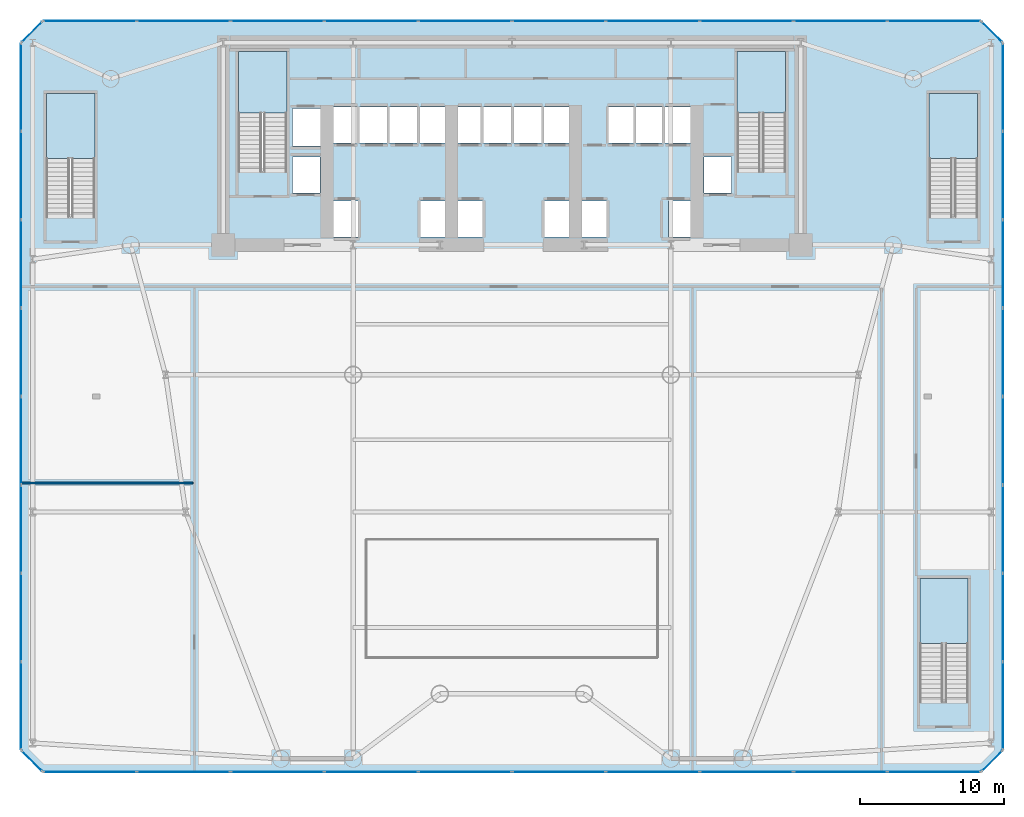
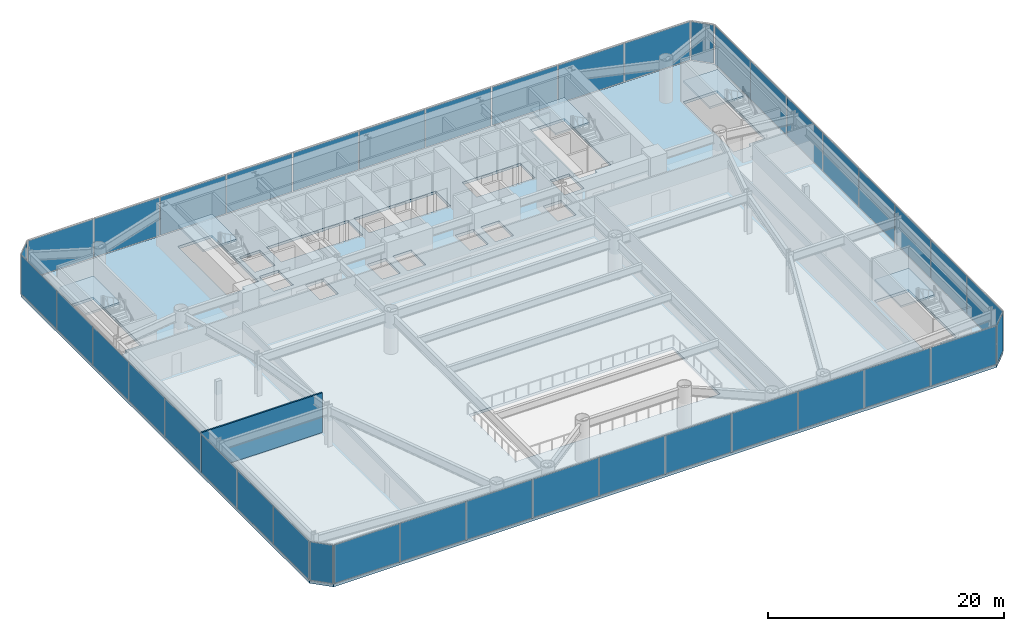
# One storey, part 12 of 24: 40 plates, 6 slabs, 1 wall, 13 elements without a shape of their own.
"""IFC4 building model written with IfcOpenShell, lengths in metres."""

from ifc_helpers import new_model, si_unit, direction, frame, frame_2d, origin, origin_2d, place, context, subcontext, project, spatial, polyline, rectangle, outline, extrude, source, transform, mapped, material, layer, layer_set, type_object, element, aggregate, save


model = new_model("IFC4")

# Units and contexts
model_context = context("Model", 3, precision=1e-05, world=origin(), true_north=direction((0.0, 1.0)))
body_context = subcontext(model_context, "Body", "Model", "MODEL_VIEW")
ifc_project = project(units=[si_unit("LENGTHUNIT", "METRE"), si_unit("AREAUNIT", "SQUARE_METRE"), si_unit("VOLUMEUNIT", "CUBIC_METRE"), si_unit("PLANEANGLEUNIT", "RADIAN"), si_unit("MASSUNIT", "GRAM", prefix="KILO")], contexts=[model_context])

# Site, building, storey
site_placement = place(None, origin())
site = spatial("IfcSite", under=ifc_project, at=site_placement, CompositionType="ELEMENT")
building_placement = place(site_placement, origin())
building = spatial("IfcBuilding", under=site, at=building_placement, Name="Vaeldorn Concourse Tower", CompositionType="ELEMENT")
storey_placement = place(building_placement, frame((0.0, 0.0, 5.60009765625)))
storey = spatial("IfcBuildingStorey", under=building, at=storey_placement, Name="L01", CompositionType="ELEMENT", Elevation=5.60009765625)

# Slab
ifc_material_1 = material(Name="Concrete C40/50", Category="concrete")
ifc_layer_1 = layer(ifc_material_1, 0.280029296875)
ifc_layer_set_1 = layer_set([ifc_layer_1], Name="Concrete C40/50")
slab_type_1 = type_object("IfcSlabType", Name="SL-POD-280", PredefinedType="FLOOR", material=ifc_layer_set_1)
slab_1_placement = place(storey_placement, frame((0.0, 0.0, -0.280029296875)))
element("IfcSlab", 1, at=slab_1_placement, inside=storey, type_object=slab_type_1, Name="Structural Floor Slab L01", PredefinedType="FLOOR", context=body_context, shape_type="SweptSolid", body=[
    extrude(outline(polyline([(1.5, 0.0), (66.5, 0.0), (68.0, 1.5), (68.0, 50.5), (66.5, 52.0), (1.5, 52.0), (0.0, 50.5), (0.0, 1.5), (1.5, 0.0)]), holes=[polyline([(18.39990234375, 42.0), (18.39990234375, 49.89990234375), (15.050048828125, 49.89990234375), (15.050048828125, 41.60009765625), (16.800048828125, 41.60009765625), (16.800048828125, 42.0), (18.39990234375, 42.0)]), polyline([(52.949951171875, 42.0), (52.949951171875, 49.89990234375), (49.60009765625, 49.89990234375), (49.60009765625, 41.60009765625), (51.35009765625, 41.60009765625), (51.35009765625, 42.0), (52.949951171875, 42.0)]), polyline([(5.10009765625, 38.85009765625), (5.10009765625, 47.0), (1.75, 47.0), (1.75, 38.449951171875), (3.5, 38.449951171875), (3.5, 38.85009765625), (5.10009765625, 38.85009765625)]), polyline([(66.25, 38.85009765625), (66.25, 47.0), (62.89990234375, 47.0), (62.89990234375, 38.449951171875), (64.64990234375, 38.449951171875), (64.64990234375, 38.85009765625), (66.25, 38.85009765625)]), polyline([(65.60009765625, 5.25), (65.60009765625, 13.39990234375), (62.25, 13.39990234375), (62.25, 4.85009765625), (64.0, 4.85009765625), (64.0, 5.25), (65.60009765625, 5.25)]), polyline([(21.550048828125, 37.050048828125), (23.35009765625, 37.050048828125), (23.35009765625, 39.550048828125), (21.550048828125, 39.550048828125), (21.550048828125, 37.050048828125)]), polyline([(27.64990234375, 37.050048828125), (29.449951171875, 37.050048828125), (29.449951171875, 39.550048828125), (27.64990234375, 39.550048828125), (27.64990234375, 37.050048828125)]), polyline([(21.5, 43.550048828125), (29.5, 43.550048828125), (29.5, 46.050048828125), (21.5, 46.050048828125), (21.5, 43.550048828125)]), polyline([(30.14990234375, 37.050048828125), (31.949951171875, 37.050048828125), (31.949951171875, 39.550048828125), (30.14990234375, 39.550048828125), (30.14990234375, 37.050048828125)]), polyline([(36.25, 37.050048828125), (38.050048828125, 37.050048828125), (38.050048828125, 39.550048828125), (36.25, 39.550048828125), (36.25, 37.050048828125)]), polyline([(30.10009765625, 43.550048828125), (38.10009765625, 43.550048828125), (38.10009765625, 46.050048828125), (30.10009765625, 46.050048828125), (30.10009765625, 43.550048828125)]), polyline([(38.75, 37.050048828125), (40.550048828125, 37.050048828125), (40.550048828125, 39.550048828125), (38.75, 39.550048828125), (38.75, 37.050048828125)]), polyline([(44.85009765625, 37.050048828125), (46.64990234375, 37.050048828125), (46.64990234375, 39.550048828125), (44.85009765625, 39.550048828125), (44.85009765625, 37.050048828125)]), polyline([(40.699951171875, 43.550048828125), (46.39990234375, 43.550048828125), (46.39990234375, 46.050048828125), (40.699951171875, 46.050048828125), (40.699951171875, 43.550048828125)]), polyline([(18.800048828125, 43.35009765625), (20.800048828125, 43.35009765625), (20.800048828125, 45.949951171875), (18.800048828125, 45.949951171875), (18.800048828125, 43.35009765625)]), polyline([(18.800048828125, 40.10009765625), (20.699951171875, 40.10009765625), (20.699951171875, 42.60009765625), (18.800048828125, 42.60009765625), (18.800048828125, 40.10009765625)]), polyline([(47.300048828125, 40.10009765625), (49.199951171875, 40.10009765625), (49.199951171875, 42.60009765625), (47.300048828125, 42.60009765625), (47.300048828125, 40.10009765625)]), polyline([(24.0, 8.0), (44.0, 8.0), (44.0, 16.0), (24.0, 16.0), (24.0, 8.0)])]), origin(), (0.0, 0.0, 1.0), 0.280029296875),
])

# Stair, slab
ifc_material_2 = material(Name="Precast concrete C40/50", Category="concrete")
stair_type = type_object("IfcStairType", Name="STR-DOG-28x157", PredefinedType="HALF_TURN_STAIR", material=ifc_material_2)
stair_1_placement = place(storey_placement, origin())
stair_1 = element("IfcStair", 2, at=stair_1_placement, inside=storey, type_object=stair_type, Name="L01 West Core Exit Stair ST-1", PredefinedType="HALF_TURN_STAIR")
ifc_layer_2 = layer(ifc_material_1, 0.199951171875)
ifc_layer_set_2 = layer_set([ifc_layer_2], Name="Concrete C40/50")
slab_type_2 = type_object("IfcSlabType", Name="SL-STAIR-LANDING", PredefinedType="LANDING", material=ifc_layer_set_2)
slab_2_placement = place(storey_placement, frame((0.0, 0.0, 2.0)))
slab_2 = element("IfcSlab", 3, at=slab_2_placement, type_object=slab_type_2, Name="ST-1 landing 1", PredefinedType="LANDING", context=body_context, shape_type="SweptSolid", body=[
    extrude(outline(polyline([(18.39990234375, 45.6298828125), (18.39990234375, 49.89990234375), (15.050048828125, 49.89990234375), (15.050048828125, 45.6298828125), (18.39990234375, 45.6298828125)])), origin(), (0.0, 0.0, 1.0), 0.199951171875),
])
aggregate(stair_1, [slab_2])

stair_2_placement = place(storey_placement, origin())
stair_2 = element("IfcStair", 4, at=stair_2_placement, inside=storey, type_object=stair_type, Name="L01 East Core Exit Stair ST-2", PredefinedType="HALF_TURN_STAIR")
slab_3_placement = place(storey_placement, frame((0.0, 0.0, 2.0)))
slab_3 = element("IfcSlab", 5, at=slab_3_placement, type_object=slab_type_2, Name="ST-2 landing 1", PredefinedType="LANDING", context=body_context, shape_type="SweptSolid", body=[
    extrude(outline(polyline([(52.949951171875, 45.6298828125), (52.949951171875, 49.89990234375), (49.60009765625, 49.89990234375), (49.60009765625, 45.6298828125), (52.949951171875, 45.6298828125)])), origin(), (0.0, 0.0, 1.0), 0.199951171875),
])
aggregate(stair_2, [slab_3])

stair_3_placement = place(storey_placement, origin())
stair_3 = element("IfcStair", 6, at=stair_3_placement, inside=storey, type_object=stair_type, Name="L01 Station West Exit Stair ST-3", PredefinedType="HALF_TURN_STAIR")
slab_4_placement = place(storey_placement, frame((0.0, 0.0, 2.0)))
slab_4 = element("IfcSlab", 7, at=slab_4_placement, type_object=slab_type_2, Name="ST-3 landing 1", PredefinedType="LANDING", context=body_context, shape_type="SweptSolid", body=[
    extrude(outline(polyline([(5.10009765625, 42.47998046875), (5.10009765625, 47.0), (1.75, 47.0), (1.75, 42.47998046875), (5.10009765625, 42.47998046875)])), origin(), (0.0, 0.0, 1.0), 0.199951171875),
])
aggregate(stair_3, [slab_4])

stair_4_placement = place(storey_placement, origin())
stair_4 = element("IfcStair", 8, at=stair_4_placement, inside=storey, type_object=stair_type, Name="L01 Station East Exit Stair ST-4", PredefinedType="HALF_TURN_STAIR")
slab_5_placement = place(storey_placement, frame((0.0, 0.0, 2.0)))
slab_5 = element("IfcSlab", 9, at=slab_5_placement, type_object=slab_type_2, Name="ST-4 landing 1", PredefinedType="LANDING", context=body_context, shape_type="SweptSolid", body=[
    extrude(outline(polyline([(66.25, 42.47998046875), (66.25, 47.0), (62.89990234375, 47.0), (62.89990234375, 42.47998046875), (66.25, 42.47998046875)])), origin(), (0.0, 0.0, 1.0), 0.199951171875),
])
aggregate(stair_4, [slab_5])

stair_5_placement = place(storey_placement, origin())
stair_5 = element("IfcStair", 10, at=stair_5_placement, inside=storey, type_object=stair_type, Name="L01 Podium Auditorium Exit Stair ST-5", PredefinedType="HALF_TURN_STAIR")
slab_6_placement = place(storey_placement, frame((0.0, 0.0, 2.0)))
slab_6 = element("IfcSlab", 11, at=slab_6_placement, type_object=slab_type_2, Name="ST-5 landing 1", PredefinedType="LANDING", context=body_context, shape_type="SweptSolid", body=[
    extrude(outline(polyline([(65.60009765625, 8.8798828125), (65.60009765625, 13.39990234375), (62.25, 13.39990234375), (62.25, 8.8798828125), (65.60009765625, 8.8798828125)])), origin(), (0.0, 0.0, 1.0), 0.199951171875),
])
aggregate(stair_5, [slab_6])

# Curtain wall, plates
ifc_material_3 = material(Name="Anodised Bronze Aluminium", Category="aluminium")
ifc_layer_3 = layer(ifc_material_3, 0.239990234375)
ifc_layer_set_3 = layer_set([ifc_layer_3], Name="Anodised Bronze Aluminium")
curtain_wall_type = type_object("IfcCurtainWallType", Name="CW-SYS-04", PredefinedType="NOTDEFINED", material=ifc_layer_set_3)
curtain_wall_1_placement = place(storey_placement, origin())
curtain_wall_1 = element("IfcCurtainWall", 12, at=curtain_wall_1_placement, inside=storey, type_object=curtain_wall_type, Name="Unitised Curtain Wall CW-L01-E01-1", PredefinedType="NOTDEFINED")
ifc_material_4 = material(Name="Bronze Tinted Low-E Insulated Glass", Category="glass")
ifc_layer_4 = layer(ifc_material_4, 0.031982421875)
ifc_layer_set_4 = layer_set([ifc_layer_4], Name="Bronze Tinted Low-E Insulated Glass")
plate_type = type_object("IfcPlateType", Name="CWP-VISION-32", PredefinedType="CURTAIN_PANEL", material=ifc_layer_set_4)
shared_shape_1 = source(origin(), body_context, "Body", "SweptSolid", [
    extrude(rectangle(XDim=6.387451171875, YDim=0.031982421875, at=origin_2d()), origin(), (0.0, 0.0, 1.0), 3.969970703125),
])
plate_1_placement = place(storey_placement, frame((4.768798828125, 0.0, 0.07470703125), z_axis=(0.0, 0.0, 1.0), x_axis=(1.0, 0.0, 0.0)))
plate_1 = element("IfcPlate", 13, at=plate_1_placement, type_object=plate_type, Name="CW-04 panel 1.1", PredefinedType="CURTAIN_PANEL", context=body_context, shape_type="MappedRepresentation", body=[
    mapped(shared_shape_1, transform((0.0, 0.0, 0.0), scale=1.0)),
])
plate_2_placement = place(storey_placement, frame((63.231201171875, 0.0, 0.07470703125), z_axis=(0.0, 0.0, 1.0), x_axis=(1.0, 0.0, 0.0)))
plate_2 = element("IfcPlate", 14, at=plate_2_placement, type_object=plate_type, Name="CW-04 panel 10.1", PredefinedType="CURTAIN_PANEL", context=body_context, shape_type="MappedRepresentation", body=[
    mapped(shared_shape_1, transform((0.0, 0.0, 0.0), scale=1.0)),
])

curtain_wall_2_placement = place(storey_placement, origin())
curtain_wall_2 = element("IfcCurtainWall", 15, at=curtain_wall_2_placement, inside=storey, type_object=curtain_wall_type, Name="Unitised Curtain Wall CW-L01-E05-1", PredefinedType="NOTDEFINED")
plate_3_placement = place(storey_placement, frame((63.231201171875, 52.0, 0.07470703125), z_axis=(0.0, 0.0, 1.0), x_axis=(-1.0, 0.0, 0.0)))
plate_3 = element("IfcPlate", 16, at=plate_3_placement, type_object=plate_type, Name="CW-04 panel 1.1", PredefinedType="CURTAIN_PANEL", context=body_context, shape_type="MappedRepresentation", body=[
    mapped(shared_shape_1, transform((0.0, 0.0, 0.0), scale=1.0)),
])
plate_4_placement = place(storey_placement, frame((4.768798828125, 52.0, 0.07470703125), z_axis=(0.0, 0.0, 1.0), x_axis=(-1.0, 0.0, 0.0)))
plate_4 = element("IfcPlate", 17, at=plate_4_placement, type_object=plate_type, Name="CW-04 panel 10.1", PredefinedType="CURTAIN_PANEL", context=body_context, shape_type="MappedRepresentation", body=[
    mapped(shared_shape_1, transform((0.0, 0.0, 0.0), scale=1.0)),
])

# Plate
shared_shape_2 = source(origin(), body_context, "Body", "SweptSolid", [
    extrude(rectangle(XDim=6.425048828125, YDim=0.031982421875, at=origin_2d()), origin(), (0.0, 0.0, 1.0), 3.969970703125),
])
plate_5_placement = place(storey_placement, frame((11.25, 0.0, 0.07470703125), z_axis=(0.0, 0.0, 1.0), x_axis=(1.0, 0.0, 0.0)))
plate_5 = element("IfcPlate", 18, at=plate_5_placement, type_object=plate_type, Name="CW-04 panel 2.1", PredefinedType="CURTAIN_PANEL", context=body_context, shape_type="MappedRepresentation", body=[
    mapped(shared_shape_2, transform((0.0, 0.0, 0.0), scale=1.0)),
])

plate_6_placement = place(storey_placement, frame((17.75, 0.0, 0.07470703125), z_axis=(0.0, 0.0, 1.0), x_axis=(1.0, 0.0, 0.0)))
plate_6 = element("IfcPlate", 19, at=plate_6_placement, type_object=plate_type, Name="CW-04 panel 3.1", PredefinedType="CURTAIN_PANEL", context=body_context, shape_type="MappedRepresentation", body=[
    mapped(shared_shape_2, transform((0.0, 0.0, 0.0), scale=1.0)),
])

plate_7_placement = place(storey_placement, frame((24.25, 0.0, 0.07470703125), z_axis=(0.0, 0.0, 1.0), x_axis=(1.0, 0.0, 0.0)))
plate_7 = element("IfcPlate", 20, at=plate_7_placement, type_object=plate_type, Name="CW-04 panel 4.1", PredefinedType="CURTAIN_PANEL", context=body_context, shape_type="MappedRepresentation", body=[
    mapped(shared_shape_2, transform((0.0, 0.0, 0.0), scale=1.0)),
])

plate_8_placement = place(storey_placement, frame((30.75, 0.0, 0.07470703125), z_axis=(0.0, 0.0, 1.0), x_axis=(1.0, 0.0, 0.0)))
plate_8 = element("IfcPlate", 21, at=plate_8_placement, type_object=plate_type, Name="CW-04 panel 5.1", PredefinedType="CURTAIN_PANEL", context=body_context, shape_type="MappedRepresentation", body=[
    mapped(shared_shape_2, transform((0.0, 0.0, 0.0), scale=1.0)),
])

plate_9_placement = place(storey_placement, frame((37.25, 0.0, 0.07470703125), z_axis=(0.0, 0.0, 1.0), x_axis=(1.0, 0.0, 0.0)))
plate_9 = element("IfcPlate", 22, at=plate_9_placement, type_object=plate_type, Name="CW-04 panel 6.1", PredefinedType="CURTAIN_PANEL", context=body_context, shape_type="MappedRepresentation", body=[
    mapped(shared_shape_2, transform((0.0, 0.0, 0.0), scale=1.0)),
])

plate_10_placement = place(storey_placement, frame((43.75, 0.0, 0.07470703125), z_axis=(0.0, 0.0, 1.0), x_axis=(1.0, 0.0, 0.0)))
plate_10 = element("IfcPlate", 23, at=plate_10_placement, type_object=plate_type, Name="CW-04 panel 7.1", PredefinedType="CURTAIN_PANEL", context=body_context, shape_type="MappedRepresentation", body=[
    mapped(shared_shape_2, transform((0.0, 0.0, 0.0), scale=1.0)),
])

plate_11_placement = place(storey_placement, frame((50.25, 0.0, 0.07470703125), z_axis=(0.0, 0.0, 1.0), x_axis=(1.0, 0.0, 0.0)))
plate_11 = element("IfcPlate", 24, at=plate_11_placement, type_object=plate_type, Name="CW-04 panel 8.1", PredefinedType="CURTAIN_PANEL", context=body_context, shape_type="MappedRepresentation", body=[
    mapped(shared_shape_2, transform((0.0, 0.0, 0.0), scale=1.0)),
])

plate_12_placement = place(storey_placement, frame((56.75, 0.0, 0.07470703125), z_axis=(0.0, 0.0, 1.0), x_axis=(1.0, 0.0, 0.0)))
plate_12 = element("IfcPlate", 25, at=plate_12_placement, type_object=plate_type, Name="CW-04 panel 9.1", PredefinedType="CURTAIN_PANEL", context=body_context, shape_type="MappedRepresentation", body=[
    mapped(shared_shape_2, transform((0.0, 0.0, 0.0), scale=1.0)),
])

aggregate(curtain_wall_1, [plate_1, plate_5, plate_6, plate_7, plate_8, plate_9, plate_10, plate_11, plate_12, plate_2])

plate_13_placement = place(storey_placement, frame((56.75, 52.0, 0.07470703125), z_axis=(0.0, 0.0, 1.0), x_axis=(-1.0, 0.0, 0.0)))
plate_13 = element("IfcPlate", 26, at=plate_13_placement, type_object=plate_type, Name="CW-04 panel 2.1", PredefinedType="CURTAIN_PANEL", context=body_context, shape_type="MappedRepresentation", body=[
    mapped(shared_shape_2, transform((0.0, 0.0, 0.0), scale=1.0)),
])

plate_14_placement = place(storey_placement, frame((50.25, 52.0, 0.07470703125), z_axis=(0.0, 0.0, 1.0), x_axis=(-1.0, 0.0, 0.0)))
plate_14 = element("IfcPlate", 27, at=plate_14_placement, type_object=plate_type, Name="CW-04 panel 3.1", PredefinedType="CURTAIN_PANEL", context=body_context, shape_type="MappedRepresentation", body=[
    mapped(shared_shape_2, transform((0.0, 0.0, 0.0), scale=1.0)),
])

plate_15_placement = place(storey_placement, frame((43.75, 52.0, 0.07470703125), z_axis=(0.0, 0.0, 1.0), x_axis=(-1.0, 0.0, 0.0)))
plate_15 = element("IfcPlate", 28, at=plate_15_placement, type_object=plate_type, Name="CW-04 panel 4.1", PredefinedType="CURTAIN_PANEL", context=body_context, shape_type="MappedRepresentation", body=[
    mapped(shared_shape_2, transform((0.0, 0.0, 0.0), scale=1.0)),
])

plate_16_placement = place(storey_placement, frame((37.25, 52.0, 0.07470703125), z_axis=(0.0, 0.0, 1.0), x_axis=(-1.0, 0.0, 0.0)))
plate_16 = element("IfcPlate", 29, at=plate_16_placement, type_object=plate_type, Name="CW-04 panel 5.1", PredefinedType="CURTAIN_PANEL", context=body_context, shape_type="MappedRepresentation", body=[
    mapped(shared_shape_2, transform((0.0, 0.0, 0.0), scale=1.0)),
])

plate_17_placement = place(storey_placement, frame((30.75, 52.0, 0.07470703125), z_axis=(0.0, 0.0, 1.0), x_axis=(-1.0, 0.0, 0.0)))
plate_17 = element("IfcPlate", 30, at=plate_17_placement, type_object=plate_type, Name="CW-04 panel 6.1", PredefinedType="CURTAIN_PANEL", context=body_context, shape_type="MappedRepresentation", body=[
    mapped(shared_shape_2, transform((0.0, 0.0, 0.0), scale=1.0)),
])

plate_18_placement = place(storey_placement, frame((24.25, 52.0, 0.07470703125), z_axis=(0.0, 0.0, 1.0), x_axis=(-1.0, 0.0, 0.0)))
plate_18 = element("IfcPlate", 31, at=plate_18_placement, type_object=plate_type, Name="CW-04 panel 7.1", PredefinedType="CURTAIN_PANEL", context=body_context, shape_type="MappedRepresentation", body=[
    mapped(shared_shape_2, transform((0.0, 0.0, 0.0), scale=1.0)),
])

plate_19_placement = place(storey_placement, frame((17.75, 52.0, 0.07470703125), z_axis=(0.0, 0.0, 1.0), x_axis=(-1.0, 0.0, 0.0)))
plate_19 = element("IfcPlate", 32, at=plate_19_placement, type_object=plate_type, Name="CW-04 panel 8.1", PredefinedType="CURTAIN_PANEL", context=body_context, shape_type="MappedRepresentation", body=[
    mapped(shared_shape_2, transform((0.0, 0.0, 0.0), scale=1.0)),
])

plate_20_placement = place(storey_placement, frame((11.25, 52.0, 0.07470703125), z_axis=(0.0, 0.0, 1.0), x_axis=(-1.0, 0.0, 0.0)))
plate_20 = element("IfcPlate", 33, at=plate_20_placement, type_object=plate_type, Name="CW-04 panel 9.1", PredefinedType="CURTAIN_PANEL", context=body_context, shape_type="MappedRepresentation", body=[
    mapped(shared_shape_2, transform((0.0, 0.0, 0.0), scale=1.0)),
])

aggregate(curtain_wall_2, [plate_3, plate_13, plate_14, plate_15, plate_16, plate_17, plate_18, plate_19, plate_20, plate_4])

# Curtain wall, plate
curtain_wall_3_placement = place(storey_placement, origin())
curtain_wall_3 = element("IfcCurtainWall", 34, at=curtain_wall_3_placement, inside=storey, type_object=curtain_wall_type, Name="Unitised Curtain Wall CW-L01-E02-1", PredefinedType="NOTDEFINED")
shared_shape_3 = source(origin(), body_context, "Body", "SweptSolid", [
    extrude(rectangle(XDim=1.971435546875, YDim=0.031982421875, at=origin_2d()), origin(), (0.0, 0.0, 1.0), 3.969970703125),
])
plate_21_placement = place(storey_placement, frame((67.25, 0.75, 0.07470703125), z_axis=(0.0, 0.0, 1.0), x_axis=(0.707106781187, 0.707106781187, 0.0)))
plate_21 = element("IfcPlate", 35, at=plate_21_placement, type_object=plate_type, Name="CW-04 panel 1.1", PredefinedType="CURTAIN_PANEL", context=body_context, shape_type="MappedRepresentation", body=[
    mapped(shared_shape_3, transform((0.0, 0.0, 0.0), scale=1.0)),
])
aggregate(curtain_wall_3, [plate_21])

curtain_wall_4_placement = place(storey_placement, origin())
curtain_wall_4 = element("IfcCurtainWall", 36, at=curtain_wall_4_placement, inside=storey, type_object=curtain_wall_type, Name="Unitised Curtain Wall CW-L01-E04-1", PredefinedType="NOTDEFINED")
plate_22_placement = place(storey_placement, frame((67.25, 51.25, 0.07470703125), z_axis=(0.0, 0.0, 1.0), x_axis=(-0.707106781187, 0.707106781187, 0.0)))
plate_22 = element("IfcPlate", 37, at=plate_22_placement, type_object=plate_type, Name="CW-04 panel 1.1", PredefinedType="CURTAIN_PANEL", context=body_context, shape_type="MappedRepresentation", body=[
    mapped(shared_shape_3, transform((0.0, 0.0, 0.0), scale=1.0)),
])
aggregate(curtain_wall_4, [plate_22])

curtain_wall_5_placement = place(storey_placement, origin())
curtain_wall_5 = element("IfcCurtainWall", 38, at=curtain_wall_5_placement, inside=storey, type_object=curtain_wall_type, Name="Unitised Curtain Wall CW-L01-E06-1", PredefinedType="NOTDEFINED")
plate_23_placement = place(storey_placement, frame((0.75, 51.25, 0.07470703125), z_axis=(0.0, 0.0, 1.0), x_axis=(-0.707106781187, -0.707106781187, 0.0)))
plate_23 = element("IfcPlate", 39, at=plate_23_placement, type_object=plate_type, Name="CW-04 panel 1.1", PredefinedType="CURTAIN_PANEL", context=body_context, shape_type="MappedRepresentation", body=[
    mapped(shared_shape_3, transform((0.0, 0.0, 0.0), scale=1.0)),
])
aggregate(curtain_wall_5, [plate_23])

curtain_wall_6_placement = place(storey_placement, origin())
curtain_wall_6 = element("IfcCurtainWall", 40, at=curtain_wall_6_placement, inside=storey, type_object=curtain_wall_type, Name="Unitised Curtain Wall CW-L01-E08-1", PredefinedType="NOTDEFINED")
plate_24_placement = place(storey_placement, frame((0.75, 0.75, 0.07470703125), z_axis=(0.0, 0.0, 1.0), x_axis=(0.707106781187, -0.707106781187, 0.0)))
plate_24 = element("IfcPlate", 41, at=plate_24_placement, type_object=plate_type, Name="CW-04 panel 1.1", PredefinedType="CURTAIN_PANEL", context=body_context, shape_type="MappedRepresentation", body=[
    mapped(shared_shape_3, transform((0.0, 0.0, 0.0), scale=1.0)),
])
aggregate(curtain_wall_6, [plate_24])

# Curtain wall, plates
curtain_wall_7_placement = place(storey_placement, origin())
curtain_wall_7 = element("IfcCurtainWall", 42, at=curtain_wall_7_placement, inside=storey, type_object=curtain_wall_type, Name="Unitised Curtain Wall CW-L01-E03-1", PredefinedType="NOTDEFINED")
shared_shape_4 = source(origin(), body_context, "Body", "SweptSolid", [
    extrude(rectangle(XDim=6.012451171875, YDim=0.031982421875, at=origin_2d()), origin(), (0.0, 0.0, 1.0), 3.969970703125),
])
plate_25_placement = place(storey_placement, frame((68.0, 4.581298828125, 0.07470703125), z_axis=(0.0, 0.0, 1.0), x_axis=(0.0, 1.0, 0.0)))
plate_25 = element("IfcPlate", 43, at=plate_25_placement, type_object=plate_type, Name="CW-04 panel 1.1", PredefinedType="CURTAIN_PANEL", context=body_context, shape_type="MappedRepresentation", body=[
    mapped(shared_shape_4, transform((0.0, 0.0, 0.0), scale=1.0)),
])
plate_26_placement = place(storey_placement, frame((68.0, 47.418701171875, 0.07470703125), z_axis=(0.0, 0.0, 1.0), x_axis=(0.0, 1.0, 0.0)))
plate_26 = element("IfcPlate", 44, at=plate_26_placement, type_object=plate_type, Name="CW-04 panel 8.1", PredefinedType="CURTAIN_PANEL", context=body_context, shape_type="MappedRepresentation", body=[
    mapped(shared_shape_4, transform((0.0, 0.0, 0.0), scale=1.0)),
])

curtain_wall_8_placement = place(storey_placement, origin())
curtain_wall_8 = element("IfcCurtainWall", 45, at=curtain_wall_8_placement, inside=storey, type_object=curtain_wall_type, Name="Unitised Curtain Wall CW-L01-E07-1", PredefinedType="NOTDEFINED")
plate_27_placement = place(storey_placement, frame((0.0, 47.418701171875, 0.07470703125), z_axis=(0.0, 0.0, 1.0), x_axis=(0.0, -1.0, 0.0)))
plate_27 = element("IfcPlate", 46, at=plate_27_placement, type_object=plate_type, Name="CW-04 panel 1.1", PredefinedType="CURTAIN_PANEL", context=body_context, shape_type="MappedRepresentation", body=[
    mapped(shared_shape_4, transform((0.0, 0.0, 0.0), scale=1.0)),
])
plate_28_placement = place(storey_placement, frame((0.0, 4.581298828125, 0.07470703125), z_axis=(0.0, 0.0, 1.0), x_axis=(0.0, -1.0, 0.0)))
plate_28 = element("IfcPlate", 47, at=plate_28_placement, type_object=plate_type, Name="CW-04 panel 8.1", PredefinedType="CURTAIN_PANEL", context=body_context, shape_type="MappedRepresentation", body=[
    mapped(shared_shape_4, transform((0.0, 0.0, 0.0), scale=1.0)),
])

# Plate
shared_shape_5 = source(origin(), body_context, "Body", "SweptSolid", [
    extrude(rectangle(XDim=6.050048828125, YDim=0.031982421875, at=origin_2d()), origin(), (0.0, 0.0, 1.0), 3.969970703125),
])
plate_29_placement = place(storey_placement, frame((68.0, 10.6875, 0.07470703125), z_axis=(0.0, 0.0, 1.0), x_axis=(0.0, 1.0, 0.0)))
plate_29 = element("IfcPlate", 48, at=plate_29_placement, type_object=plate_type, Name="CW-04 panel 2.1", PredefinedType="CURTAIN_PANEL", context=body_context, shape_type="MappedRepresentation", body=[
    mapped(shared_shape_5, transform((0.0, 0.0, 0.0), scale=1.0)),
])

plate_30_placement = place(storey_placement, frame((68.0, 16.8125, 0.07470703125), z_axis=(0.0, 0.0, 1.0), x_axis=(0.0, 1.0, 0.0)))
plate_30 = element("IfcPlate", 49, at=plate_30_placement, type_object=plate_type, Name="CW-04 panel 3.1", PredefinedType="CURTAIN_PANEL", context=body_context, shape_type="MappedRepresentation", body=[
    mapped(shared_shape_5, transform((0.0, 0.0, 0.0), scale=1.0)),
])

plate_31_placement = place(storey_placement, frame((68.0, 22.9375, 0.07470703125), z_axis=(0.0, 0.0, 1.0), x_axis=(0.0, 1.0, 0.0)))
plate_31 = element("IfcPlate", 50, at=plate_31_placement, type_object=plate_type, Name="CW-04 panel 4.1", PredefinedType="CURTAIN_PANEL", context=body_context, shape_type="MappedRepresentation", body=[
    mapped(shared_shape_5, transform((0.0, 0.0, 0.0), scale=1.0)),
])

plate_32_placement = place(storey_placement, frame((68.0, 29.0625, 0.07470703125), z_axis=(0.0, 0.0, 1.0), x_axis=(0.0, 1.0, 0.0)))
plate_32 = element("IfcPlate", 51, at=plate_32_placement, type_object=plate_type, Name="CW-04 panel 5.1", PredefinedType="CURTAIN_PANEL", context=body_context, shape_type="MappedRepresentation", body=[
    mapped(shared_shape_5, transform((0.0, 0.0, 0.0), scale=1.0)),
])

plate_33_placement = place(storey_placement, frame((68.0, 35.1875, 0.07470703125), z_axis=(0.0, 0.0, 1.0), x_axis=(0.0, 1.0, 0.0)))
plate_33 = element("IfcPlate", 52, at=plate_33_placement, type_object=plate_type, Name="CW-04 panel 6.1", PredefinedType="CURTAIN_PANEL", context=body_context, shape_type="MappedRepresentation", body=[
    mapped(shared_shape_5, transform((0.0, 0.0, 0.0), scale=1.0)),
])

plate_34_placement = place(storey_placement, frame((68.0, 41.3125, 0.07470703125), z_axis=(0.0, 0.0, 1.0), x_axis=(0.0, 1.0, 0.0)))
plate_34 = element("IfcPlate", 53, at=plate_34_placement, type_object=plate_type, Name="CW-04 panel 7.1", PredefinedType="CURTAIN_PANEL", context=body_context, shape_type="MappedRepresentation", body=[
    mapped(shared_shape_5, transform((0.0, 0.0, 0.0), scale=1.0)),
])

aggregate(curtain_wall_7, [plate_25, plate_29, plate_30, plate_31, plate_32, plate_33, plate_34, plate_26])

plate_35_placement = place(storey_placement, frame((0.0, 41.3125, 0.07470703125), z_axis=(0.0, 0.0, 1.0), x_axis=(0.0, -1.0, 0.0)))
plate_35 = element("IfcPlate", 54, at=plate_35_placement, type_object=plate_type, Name="CW-04 panel 2.1", PredefinedType="CURTAIN_PANEL", context=body_context, shape_type="MappedRepresentation", body=[
    mapped(shared_shape_5, transform((0.0, 0.0, 0.0), scale=1.0)),
])

plate_36_placement = place(storey_placement, frame((0.0, 35.1875, 0.07470703125), z_axis=(0.0, 0.0, 1.0), x_axis=(0.0, -1.0, 0.0)))
plate_36 = element("IfcPlate", 55, at=plate_36_placement, type_object=plate_type, Name="CW-04 panel 3.1", PredefinedType="CURTAIN_PANEL", context=body_context, shape_type="MappedRepresentation", body=[
    mapped(shared_shape_5, transform((0.0, 0.0, 0.0), scale=1.0)),
])

plate_37_placement = place(storey_placement, frame((0.0, 29.0625, 0.07470703125), z_axis=(0.0, 0.0, 1.0), x_axis=(0.0, -1.0, 0.0)))
plate_37 = element("IfcPlate", 56, at=plate_37_placement, type_object=plate_type, Name="CW-04 panel 4.1", PredefinedType="CURTAIN_PANEL", context=body_context, shape_type="MappedRepresentation", body=[
    mapped(shared_shape_5, transform((0.0, 0.0, 0.0), scale=1.0)),
])

plate_38_placement = place(storey_placement, frame((0.0, 22.9375, 0.07470703125), z_axis=(0.0, 0.0, 1.0), x_axis=(0.0, -1.0, 0.0)))
plate_38 = element("IfcPlate", 57, at=plate_38_placement, type_object=plate_type, Name="CW-04 panel 5.1", PredefinedType="CURTAIN_PANEL", context=body_context, shape_type="MappedRepresentation", body=[
    mapped(shared_shape_5, transform((0.0, 0.0, 0.0), scale=1.0)),
])

plate_39_placement = place(storey_placement, frame((0.0, 16.8125, 0.07470703125), z_axis=(0.0, 0.0, 1.0), x_axis=(0.0, -1.0, 0.0)))
plate_39 = element("IfcPlate", 58, at=plate_39_placement, type_object=plate_type, Name="CW-04 panel 6.1", PredefinedType="CURTAIN_PANEL", context=body_context, shape_type="MappedRepresentation", body=[
    mapped(shared_shape_5, transform((0.0, 0.0, 0.0), scale=1.0)),
])

plate_40_placement = place(storey_placement, frame((0.0, 10.6875, 0.07470703125), z_axis=(0.0, 0.0, 1.0), x_axis=(0.0, -1.0, 0.0)))
plate_40 = element("IfcPlate", 59, at=plate_40_placement, type_object=plate_type, Name="CW-04 panel 7.1", PredefinedType="CURTAIN_PANEL", context=body_context, shape_type="MappedRepresentation", body=[
    mapped(shared_shape_5, transform((0.0, 0.0, 0.0), scale=1.0)),
])

aggregate(curtain_wall_8, [plate_27, plate_35, plate_36, plate_37, plate_38, plate_39, plate_40, plate_28])

# Wall
ifc_material_5 = material(Name="Gypsum Board Partition", Category="gypsum")
ifc_layer_5 = layer(ifc_material_5, 0.14990234375)
ifc_layer_set_5 = layer_set([ifc_layer_5], Name="Gypsum Board Partition")
wall_type = type_object("IfcWallType", Name="WL-PART-150", PredefinedType="PARTITIONING", material=ifc_layer_set_5)
wall_placement = place(storey_placement, frame((0.0400390625, 20.0, 0.0), z_axis=(0.0, 0.0, 1.0), x_axis=(1.0, 0.0, 0.0)))
element("IfcWall", 60, at=wall_placement, inside=storey, type_object=wall_type, Name="Interior Wall PW-L01-W2", PredefinedType="PARTITIONING", context=body_context, shape_type="SweptSolid", body=[
    extrude(rectangle(XDim=11.8798828125, YDim=0.14990234375, at=frame_2d((5.93994140625, 0.0))), origin(), (0.0, 0.0, 1.0), 4.119873046875),
])

save(model, "model.ifc")
